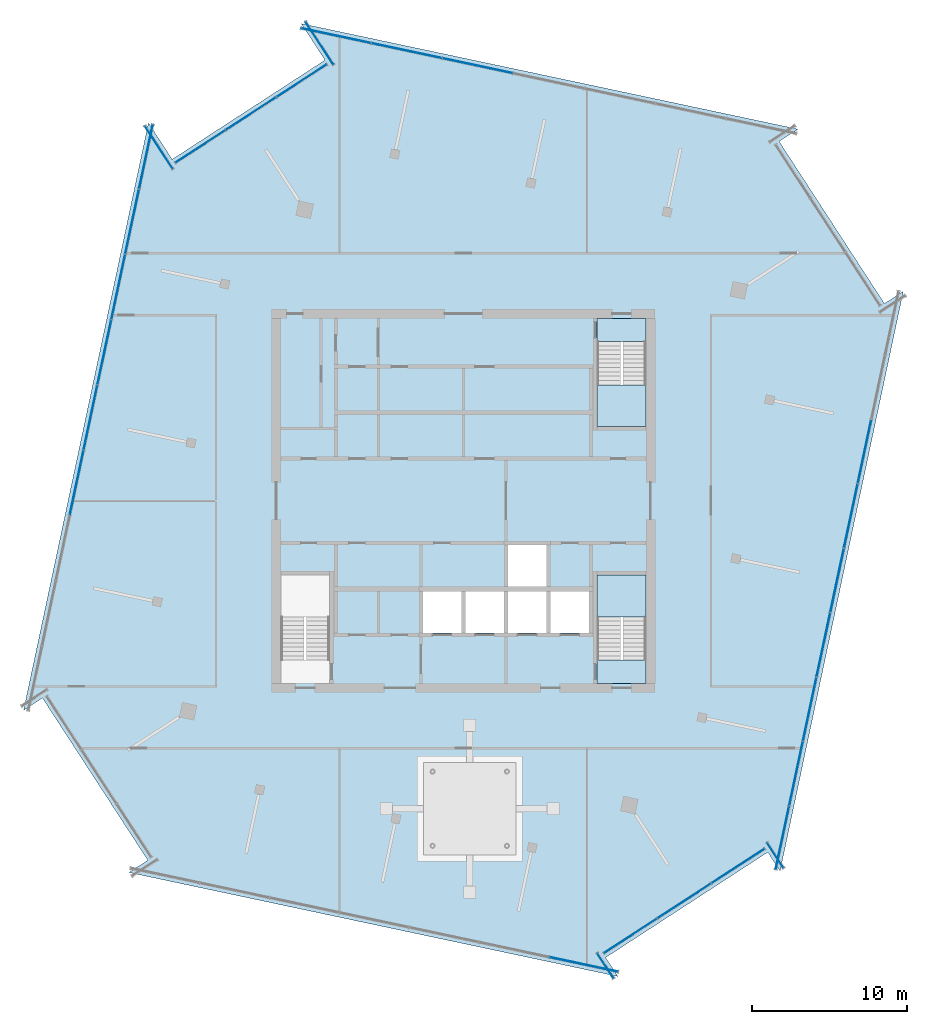
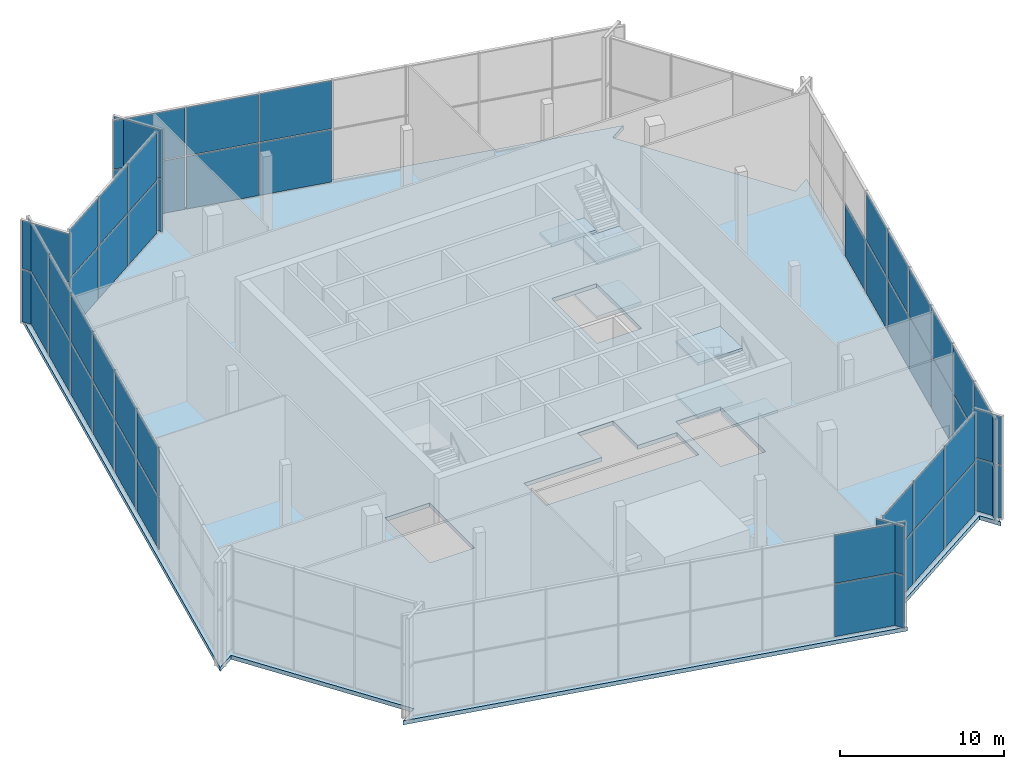
# One storey, part 8 of 14: 53 plates, 7 slabs, 12 elements without a shape of their own.
"""IFC4 building model written with IfcOpenShell, lengths in metres."""

from ifc_helpers import new_model, si_unit, direction, frame, origin, origin_2d, place, context, subcontext, project, spatial, polyline, rectangle, outline, extrude, material, layer, layer_set, type_object, element, aggregate, save


model = new_model("IFC4")

# Units and contexts
model_context = context("Model", 3, precision=1e-05, world=origin(), true_north=direction((0.0, 1.0)))
body_context = subcontext(model_context, "Body", "Model", "MODEL_VIEW")
ifc_project = project(units=[si_unit("LENGTHUNIT", "METRE"), si_unit("AREAUNIT", "SQUARE_METRE"), si_unit("VOLUMEUNIT", "CUBIC_METRE"), si_unit("PLANEANGLEUNIT", "RADIAN"), si_unit("MASSUNIT", "GRAM", prefix="KILO")], contexts=[model_context])

# Site, building, storey
site_placement = place(None, origin())
site = spatial("IfcSite", under=ifc_project, at=site_placement, CompositionType="ELEMENT")
building_placement = place(site_placement, origin())
building = spatial("IfcBuilding", under=site, at=building_placement, Name="Dilmun Exchange Tower", CompositionType="ELEMENT")
storey_placement = place(building_placement, frame((0.0, 0.0, 350.10009765625)))
storey = spatial("IfcBuildingStorey", under=building, at=storey_placement, Name="Crown L83", CompositionType="ELEMENT", Elevation=350.10009765625)

# Curtain wall, plates
ifc_material_1 = material(Name="Anodised aluminium and clear glass", Category="aluminium")
curtain_wall_type = type_object("IfcCurtainWallType", Name="Damper floor glazing", PredefinedType="NOTDEFINED", material=ifc_material_1)
curtain_wall_1_placement = place(storey_placement, origin())
curtain_wall_1 = element("IfcCurtainWall", 1, at=curtain_wall_1_placement, inside=storey, type_object=curtain_wall_type, Name="Damper floor glazing run DG3", PredefinedType="NOTDEFINED")
ifc_material_2 = material(Name="Clear glass", Category="glass")
ifc_layer_1 = layer(ifc_material_2, 0.035888671875)
ifc_layer_set_1 = layer_set([ifc_layer_1], Name="Clear glass")
plate_type = type_object("IfcPlateType", Name="Damper floor glazing glass panel 36", PredefinedType="CURTAIN_PANEL", material=ifc_layer_set_1)
plate_1_placement = place(storey_placement, frame((7.7734375, -29.97119140625, 0.06982421875), z_axis=(0.0, 0.0, 1.0), x_axis=(0.978147660564, -0.207911409336, 0.0)))
plate_1 = element("IfcPlate", 2, at=plate_1_placement, type_object=plate_type, Name="DG3 panel 7.1", PredefinedType="CURTAIN_PANEL", context=body_context, shape_type="SweptSolid", body=[
    extrude(rectangle(XDim=4.512451171875, YDim=0.035888671875, at=origin_2d()), origin(), (0.0, 0.0, 1.0), 3.89501953125),
])
plate_2_placement = place(storey_placement, frame((7.7734375, -29.97119140625, 4.03515625), z_axis=(0.0, 0.0, 1.0), x_axis=(0.978147660564, -0.207911409336, 0.0)))
plate_2 = element("IfcPlate", 3, at=plate_2_placement, type_object=plate_type, Name="DG3 panel 7.2", PredefinedType="CURTAIN_PANEL", context=body_context, shape_type="SweptSolid", body=[
    extrude(rectangle(XDim=4.512451171875, YDim=0.035888671875, at=origin_2d()), origin(), (0.0, 0.0, 1.0), 3.594970703125),
])
aggregate(curtain_wall_1, [plate_1, plate_2])

curtain_wall_2_placement = place(storey_placement, origin())
curtain_wall_2 = element("IfcCurtainWall", 4, at=curtain_wall_2_placement, inside=storey, type_object=curtain_wall_type, Name="Damper floor glazing run DG4", PredefinedType="NOTDEFINED")
plate_3_placement = place(storey_placement, frame((9.1748046875, -30.049072265625, 0.06982421875), z_axis=(0.0, 0.0, 1.0), x_axis=(-0.544653402669, 0.838661237307, 0.0)))
plate_3 = element("IfcPlate", 5, at=plate_3_placement, type_object=plate_type, Name="DG4 panel 1.1", PredefinedType="CURTAIN_PANEL", context=body_context, shape_type="SweptSolid", body=[
    extrude(rectangle(XDim=1.9169921875, YDim=0.035888671875, at=origin_2d()), origin(), (0.0, 0.0, 1.0), 3.89501953125),
])
plate_4_placement = place(storey_placement, frame((9.1748046875, -30.049072265625, 4.03515625), z_axis=(0.0, 0.0, 1.0), x_axis=(-0.544653402669, 0.838661237307, 0.0)))
plate_4 = element("IfcPlate", 6, at=plate_4_placement, type_object=plate_type, Name="DG4 panel 1.2", PredefinedType="CURTAIN_PANEL", context=body_context, shape_type="SweptSolid", body=[
    extrude(rectangle(XDim=1.9169921875, YDim=0.035888671875, at=origin_2d()), origin(), (0.0, 0.0, 1.0), 3.594970703125),
])
aggregate(curtain_wall_2, [plate_3, plate_4])

curtain_wall_3_placement = place(storey_placement, origin())
curtain_wall_3 = element("IfcCurtainWall", 7, at=curtain_wall_3_placement, inside=storey, type_object=curtain_wall_type, Name="Damper floor glazing run DG5", PredefinedType="NOTDEFINED")
plate_5_placement = place(storey_placement, frame((10.79150390625, -28.13037109375, 0.06982421875), z_axis=(0.0, 0.0, 1.0), x_axis=(0.838670551957, 0.544639059635, 0.0)))
plate_5 = element("IfcPlate", 8, at=plate_5_placement, type_object=plate_type, Name="DG5 panel 1.1", PredefinedType="CURTAIN_PANEL", context=body_context, shape_type="SweptSolid", body=[
    extrude(rectangle(XDim=4.061767578125, YDim=0.035888671875, at=origin_2d()), origin(), (0.0, 0.0, 1.0), 3.89501953125),
])
plate_6_placement = place(storey_placement, frame((10.79150390625, -28.13037109375, 4.03515625), z_axis=(0.0, 0.0, 1.0), x_axis=(0.838670551957, 0.544639059635, 0.0)))
plate_6 = element("IfcPlate", 9, at=plate_6_placement, type_object=plate_type, Name="DG5 panel 1.2", PredefinedType="CURTAIN_PANEL", context=body_context, shape_type="SweptSolid", body=[
    extrude(rectangle(XDim=4.061767578125, YDim=0.035888671875, at=origin_2d()), origin(), (0.0, 0.0, 1.0), 3.594970703125),
])
plate_7_placement = place(storey_placement, frame((14.271240234375, -25.87060546875, 0.06982421875), z_axis=(0.0, 0.0, 1.0), x_axis=(0.838670551957, 0.544639059635, 0.0)))
plate_7 = element("IfcPlate", 10, at=plate_7_placement, type_object=plate_type, Name="DG5 panel 2.1", PredefinedType="CURTAIN_PANEL", context=body_context, shape_type="SweptSolid", body=[
    extrude(rectangle(XDim=4.0966796875, YDim=0.035888671875, at=origin_2d()), origin(), (0.0, 0.0, 1.0), 3.89501953125),
])
plate_8_placement = place(storey_placement, frame((14.271240234375, -25.87060546875, 4.03515625), z_axis=(0.0, 0.0, 1.0), x_axis=(0.838670551957, 0.544639059635, 0.0)))
plate_8 = element("IfcPlate", 11, at=plate_8_placement, type_object=plate_type, Name="DG5 panel 2.2", PredefinedType="CURTAIN_PANEL", context=body_context, shape_type="SweptSolid", body=[
    extrude(rectangle(XDim=4.0966796875, YDim=0.035888671875, at=origin_2d()), origin(), (0.0, 0.0, 1.0), 3.594970703125),
])
plate_9_placement = place(storey_placement, frame((17.7509765625, -23.61083984375, 0.06982421875), z_axis=(0.0, 0.0, 1.0), x_axis=(0.838670551957, 0.544639059635, 0.0)))
plate_9 = element("IfcPlate", 12, at=plate_9_placement, type_object=plate_type, Name="DG5 panel 3.1", PredefinedType="CURTAIN_PANEL", context=body_context, shape_type="SweptSolid", body=[
    extrude(rectangle(XDim=4.061767578125, YDim=0.035888671875, at=origin_2d()), origin(), (0.0, 0.0, 1.0), 3.89501953125),
])
plate_10_placement = place(storey_placement, frame((17.7509765625, -23.61083984375, 4.03515625), z_axis=(0.0, 0.0, 1.0), x_axis=(0.838670551957, 0.544639059635, 0.0)))
plate_10 = element("IfcPlate", 13, at=plate_10_placement, type_object=plate_type, Name="DG5 panel 3.2", PredefinedType="CURTAIN_PANEL", context=body_context, shape_type="SweptSolid", body=[
    extrude(rectangle(XDim=4.061767578125, YDim=0.035888671875, at=origin_2d()), origin(), (0.0, 0.0, 1.0), 3.594970703125),
])
aggregate(curtain_wall_3, [plate_5, plate_6, plate_7, plate_8, plate_9, plate_10])

curtain_wall_4_placement = place(storey_placement, origin())
curtain_wall_4 = element("IfcCurtainWall", 14, at=curtain_wall_4_placement, inside=storey, type_object=curtain_wall_type, Name="Damper floor glazing run DG6", PredefinedType="NOTDEFINED")
plate_11_placement = place(storey_placement, frame((20.161376953125, -22.914306640625, 0.06982421875), z_axis=(0.0, 0.0, 1.0), x_axis=(0.544653402669, -0.838661237307, 0.0)))
plate_11 = element("IfcPlate", 15, at=plate_11_placement, type_object=plate_type, Name="DG6 panel 1.1", PredefinedType="CURTAIN_PANEL", context=body_context, shape_type="SweptSolid", body=[
    extrude(rectangle(XDim=1.9169921875, YDim=0.035888671875, at=origin_2d()), origin(), (0.0, 0.0, 1.0), 3.89501953125),
])
plate_12_placement = place(storey_placement, frame((20.161376953125, -22.914306640625, 4.03515625), z_axis=(0.0, 0.0, 1.0), x_axis=(0.544653402669, -0.838661237307, 0.0)))
plate_12 = element("IfcPlate", 16, at=plate_12_placement, type_object=plate_type, Name="DG6 panel 1.2", PredefinedType="CURTAIN_PANEL", context=body_context, shape_type="SweptSolid", body=[
    extrude(rectangle(XDim=1.9169921875, YDim=0.035888671875, at=origin_2d()), origin(), (0.0, 0.0, 1.0), 3.594970703125),
])
aggregate(curtain_wall_4, [plate_11, plate_12])

curtain_wall_5_placement = place(storey_placement, origin())
curtain_wall_5 = element("IfcCurtainWall", 17, at=curtain_wall_5_placement, inside=storey, type_object=curtain_wall_type, Name="Damper floor glazing run DG7", PredefinedType="NOTDEFINED")
plate_13_placement = place(storey_placement, frame((20.622802734375, -21.7783203125, 0.06982421875), z_axis=(0.0, 0.0, 1.0), x_axis=(0.207912653058, 0.978147396203, 0.0)))
plate_13 = element("IfcPlate", 18, at=plate_13_placement, type_object=plate_type, Name="DG7 panel 1.1", PredefinedType="CURTAIN_PANEL", context=body_context, shape_type="SweptSolid", body=[
    extrude(rectangle(XDim=4.153076171875, YDim=0.035888671875, at=origin_2d()), origin(), (0.0, 0.0, 1.0), 3.89501953125),
])
plate_14_placement = place(storey_placement, frame((20.622802734375, -21.7783203125, 4.03515625), z_axis=(0.0, 0.0, 1.0), x_axis=(0.207912653058, 0.978147396203, 0.0)))
plate_14 = element("IfcPlate", 19, at=plate_14_placement, type_object=plate_type, Name="DG7 panel 1.2", PredefinedType="CURTAIN_PANEL", context=body_context, shape_type="SweptSolid", body=[
    extrude(rectangle(XDim=4.153076171875, YDim=0.035888671875, at=origin_2d()), origin(), (0.0, 0.0, 1.0), 3.594970703125),
])
plate_15_placement = place(storey_placement, frame((21.50439453125, -17.63037109375, 0.06982421875), z_axis=(0.0, 0.0, 1.0), x_axis=(0.207912653058, 0.978147396203, 0.0)))
plate_15 = element("IfcPlate", 20, at=plate_15_placement, type_object=plate_type, Name="DG7 panel 2.1", PredefinedType="CURTAIN_PANEL", context=body_context, shape_type="SweptSolid", body=[
    extrude(rectangle(XDim=4.18798828125, YDim=0.035888671875, at=origin_2d()), origin(), (0.0, 0.0, 1.0), 3.89501953125),
])
plate_16_placement = place(storey_placement, frame((21.50439453125, -17.63037109375, 4.03515625), z_axis=(0.0, 0.0, 1.0), x_axis=(0.207912653058, 0.978147396203, 0.0)))
plate_16 = element("IfcPlate", 21, at=plate_16_placement, type_object=plate_type, Name="DG7 panel 2.2", PredefinedType="CURTAIN_PANEL", context=body_context, shape_type="SweptSolid", body=[
    extrude(rectangle(XDim=4.18798828125, YDim=0.035888671875, at=origin_2d()), origin(), (0.0, 0.0, 1.0), 3.594970703125),
])
plate_17_placement = place(storey_placement, frame((22.3896484375, -13.46533203125, 0.06982421875), z_axis=(0.0, 0.0, 1.0), x_axis=(0.207912653058, 0.978147396203, 0.0)))
plate_17 = element("IfcPlate", 22, at=plate_17_placement, type_object=plate_type, Name="DG7 panel 3.1", PredefinedType="CURTAIN_PANEL", context=body_context, shape_type="SweptSolid", body=[
    extrude(rectangle(XDim=4.18798828125, YDim=0.035888671875, at=origin_2d()), origin(), (0.0, 0.0, 1.0), 3.89501953125),
])
plate_18_placement = place(storey_placement, frame((22.3896484375, -13.46533203125, 4.03515625), z_axis=(0.0, 0.0, 1.0), x_axis=(0.207912653058, 0.978147396203, 0.0)))
plate_18 = element("IfcPlate", 23, at=plate_18_placement, type_object=plate_type, Name="DG7 panel 3.2", PredefinedType="CURTAIN_PANEL", context=body_context, shape_type="SweptSolid", body=[
    extrude(rectangle(XDim=4.18798828125, YDim=0.035888671875, at=origin_2d()), origin(), (0.0, 0.0, 1.0), 3.594970703125),
])
plate_19_placement = place(storey_placement, frame((23.27490234375, -9.300537109375, 0.06982421875), z_axis=(0.0, 0.0, 1.0), x_axis=(0.207912653058, 0.978147396203, 0.0)))
plate_19 = element("IfcPlate", 24, at=plate_19_placement, type_object=plate_type, Name="DG7 panel 4.1", PredefinedType="CURTAIN_PANEL", context=body_context, shape_type="SweptSolid", body=[
    extrude(rectangle(XDim=4.18798828125, YDim=0.035888671875, at=origin_2d()), origin(), (0.0, 0.0, 1.0), 3.89501953125),
])
plate_20_placement = place(storey_placement, frame((23.27490234375, -9.300537109375, 4.03515625), z_axis=(0.0, 0.0, 1.0), x_axis=(0.207912653058, 0.978147396203, 0.0)))
plate_20 = element("IfcPlate", 25, at=plate_20_placement, type_object=plate_type, Name="DG7 panel 4.2", PredefinedType="CURTAIN_PANEL", context=body_context, shape_type="SweptSolid", body=[
    extrude(rectangle(XDim=4.18798828125, YDim=0.035888671875, at=origin_2d()), origin(), (0.0, 0.0, 1.0), 3.594970703125),
])
plate_21_placement = place(storey_placement, frame((24.16015625, -5.135498046875, 0.06982421875), z_axis=(0.0, 0.0, 1.0), x_axis=(0.207912653058, 0.978147396203, 0.0)))
plate_21 = element("IfcPlate", 26, at=plate_21_placement, type_object=plate_type, Name="DG7 panel 5.1", PredefinedType="CURTAIN_PANEL", context=body_context, shape_type="SweptSolid", body=[
    extrude(rectangle(XDim=4.18798828125, YDim=0.035888671875, at=origin_2d()), origin(), (0.0, 0.0, 1.0), 3.89501953125),
])
plate_22_placement = place(storey_placement, frame((24.16015625, -5.135498046875, 4.03515625), z_axis=(0.0, 0.0, 1.0), x_axis=(0.207912653058, 0.978147396203, 0.0)))
plate_22 = element("IfcPlate", 27, at=plate_22_placement, type_object=plate_type, Name="DG7 panel 5.2", PredefinedType="CURTAIN_PANEL", context=body_context, shape_type="SweptSolid", body=[
    extrude(rectangle(XDim=4.18798828125, YDim=0.035888671875, at=origin_2d()), origin(), (0.0, 0.0, 1.0), 3.594970703125),
])
plate_23_placement = place(storey_placement, frame((25.045654296875, -0.970458984375, 0.06982421875), z_axis=(0.0, 0.0, 1.0), x_axis=(0.207912653058, 0.978147396203, 0.0)))
plate_23 = element("IfcPlate", 28, at=plate_23_placement, type_object=plate_type, Name="DG7 panel 6.1", PredefinedType="CURTAIN_PANEL", context=body_context, shape_type="SweptSolid", body=[
    extrude(rectangle(XDim=4.18798828125, YDim=0.035888671875, at=origin_2d()), origin(), (0.0, 0.0, 1.0), 3.89501953125),
])
plate_24_placement = place(storey_placement, frame((25.045654296875, -0.970458984375, 4.03515625), z_axis=(0.0, 0.0, 1.0), x_axis=(0.207912653058, 0.978147396203, 0.0)))
plate_24 = element("IfcPlate", 29, at=plate_24_placement, type_object=plate_type, Name="DG7 panel 6.2", PredefinedType="CURTAIN_PANEL", context=body_context, shape_type="SweptSolid", body=[
    extrude(rectangle(XDim=4.18798828125, YDim=0.035888671875, at=origin_2d()), origin(), (0.0, 0.0, 1.0), 3.594970703125),
])
plate_25_placement = place(storey_placement, frame((25.930908203125, 3.194580078125, 0.06982421875), z_axis=(0.0, 0.0, 1.0), x_axis=(0.207912653058, 0.978147396203, 0.0)))
plate_25 = element("IfcPlate", 30, at=plate_25_placement, type_object=plate_type, Name="DG7 panel 7.1", PredefinedType="CURTAIN_PANEL", context=body_context, shape_type="SweptSolid", body=[
    extrude(rectangle(XDim=4.18798828125, YDim=0.035888671875, at=origin_2d()), origin(), (0.0, 0.0, 1.0), 3.89501953125),
])
aggregate(curtain_wall_5, [plate_13, plate_14, plate_15, plate_16, plate_17, plate_18, plate_19, plate_20, plate_21, plate_22, plate_23, plate_24, plate_25])

curtain_wall_6_placement = place(storey_placement, origin())
curtain_wall_6 = element("IfcCurtainWall", 31, at=curtain_wall_6_placement, inside=storey, type_object=curtain_wall_type, Name="Damper floor glazing run DG11", PredefinedType="NOTDEFINED")
plate_26_placement = place(storey_placement, frame((0.921630859375, 28.123046875, 0.06982421875), z_axis=(0.0, 0.0, 1.0), x_axis=(-0.978147710648, 0.20791117371, 0.0)))
plate_26 = element("IfcPlate", 32, at=plate_26_placement, type_object=plate_type, Name="DG11 panel 5.1", PredefinedType="CURTAIN_PANEL", context=body_context, shape_type="SweptSolid", body=[
    extrude(rectangle(XDim=4.620361328125, YDim=0.035888671875, at=origin_2d()), origin(), (0.0, 0.0, 1.0), 3.89501953125),
])
plate_27_placement = place(storey_placement, frame((0.921630859375, 28.123046875, 4.03515625), z_axis=(0.0, 0.0, 1.0), x_axis=(-0.978147710648, 0.20791117371, 0.0)))
plate_27 = element("IfcPlate", 33, at=plate_27_placement, type_object=plate_type, Name="DG11 panel 5.2", PredefinedType="CURTAIN_PANEL", context=body_context, shape_type="SweptSolid", body=[
    extrude(rectangle(XDim=4.620361328125, YDim=0.035888671875, at=origin_2d()), origin(), (0.0, 0.0, 1.0), 3.594970703125),
])
plate_28_placement = place(storey_placement, frame((-3.666259765625, 29.09814453125, 0.06982421875), z_axis=(0.0, 0.0, 1.0), x_axis=(-0.978147710648, 0.20791117371, 0.0)))
plate_28 = element("IfcPlate", 34, at=plate_28_placement, type_object=plate_type, Name="DG11 panel 6.1", PredefinedType="CURTAIN_PANEL", context=body_context, shape_type="SweptSolid", body=[
    extrude(rectangle(XDim=4.620361328125, YDim=0.035888671875, at=origin_2d()), origin(), (0.0, 0.0, 1.0), 3.89501953125),
])
plate_29_placement = place(storey_placement, frame((-3.666259765625, 29.09814453125, 4.03515625), z_axis=(0.0, 0.0, 1.0), x_axis=(-0.978147710648, 0.20791117371, 0.0)))
plate_29 = element("IfcPlate", 35, at=plate_29_placement, type_object=plate_type, Name="DG11 panel 6.2", PredefinedType="CURTAIN_PANEL", context=body_context, shape_type="SweptSolid", body=[
    extrude(rectangle(XDim=4.620361328125, YDim=0.035888671875, at=origin_2d()), origin(), (0.0, 0.0, 1.0), 3.594970703125),
])
plate_30_placement = place(storey_placement, frame((-8.237060546875, 30.069580078125, 0.06982421875), z_axis=(0.0, 0.0, 1.0), x_axis=(-0.978147710648, 0.20791117371, 0.0)))
plate_30 = element("IfcPlate", 36, at=plate_30_placement, type_object=plate_type, Name="DG11 panel 7.1", PredefinedType="CURTAIN_PANEL", context=body_context, shape_type="SweptSolid", body=[
    extrude(rectangle(XDim=4.58544921875, YDim=0.035888671875, at=origin_2d()), origin(), (0.0, 0.0, 1.0), 3.89501953125),
])
plate_31_placement = place(storey_placement, frame((-8.237060546875, 30.069580078125, 4.03515625), z_axis=(0.0, 0.0, 1.0), x_axis=(-0.978147710648, 0.20791117371, 0.0)))
plate_31 = element("IfcPlate", 37, at=plate_31_placement, type_object=plate_type, Name="DG11 panel 7.2", PredefinedType="CURTAIN_PANEL", context=body_context, shape_type="SweptSolid", body=[
    extrude(rectangle(XDim=4.58544921875, YDim=0.035888671875, at=origin_2d()), origin(), (0.0, 0.0, 1.0), 3.594970703125),
])
aggregate(curtain_wall_6, [plate_26, plate_27, plate_28, plate_29, plate_30, plate_31])

curtain_wall_7_placement = place(storey_placement, origin())
curtain_wall_7 = element("IfcCurtainWall", 38, at=curtain_wall_7_placement, inside=storey, type_object=curtain_wall_type, Name="Damper floor glazing run DG12", PredefinedType="NOTDEFINED")
plate_32_placement = place(storey_placement, frame((-9.30322265625, 29.58447265625, 0.06982421875), z_axis=(0.0, 0.0, 1.0), x_axis=(0.544640721056, -0.838669473015, 0.0)))
plate_32 = element("IfcPlate", 39, at=plate_32_placement, type_object=plate_type, Name="DG12 panel 1.1", PredefinedType="CURTAIN_PANEL", context=body_context, shape_type="SweptSolid", body=[
    extrude(rectangle(XDim=3.278076171875, YDim=0.035888671875, at=origin_2d()), origin(), (0.0, 0.0, 1.0), 3.89501953125),
])
plate_33_placement = place(storey_placement, frame((-9.30322265625, 29.58447265625, 4.03515625), z_axis=(0.0, 0.0, 1.0), x_axis=(0.544640721056, -0.838669473015, 0.0)))
plate_33 = element("IfcPlate", 40, at=plate_33_placement, type_object=plate_type, Name="DG12 panel 1.2", PredefinedType="CURTAIN_PANEL", context=body_context, shape_type="SweptSolid", body=[
    extrude(rectangle(XDim=3.278076171875, YDim=0.035888671875, at=origin_2d()), origin(), (0.0, 0.0, 1.0), 3.594970703125),
])
aggregate(curtain_wall_7, [plate_32, plate_33])

curtain_wall_8_placement = place(storey_placement, origin())
curtain_wall_8 = element("IfcCurtainWall", 41, at=curtain_wall_8_placement, inside=storey, type_object=curtain_wall_type, Name="Damper floor glazing run DG13", PredefinedType="NOTDEFINED")
plate_34_placement = place(storey_placement, frame((-10.448486328125, 27.16064453125, 0.06982421875), z_axis=(0.0, 0.0, 1.0), x_axis=(-0.83866855929, -0.54464212806, 0.0)))
plate_34 = element("IfcPlate", 42, at=plate_34_placement, type_object=plate_type, Name="DG13 panel 1.1", PredefinedType="CURTAIN_PANEL", context=body_context, shape_type="SweptSolid", body=[
    extrude(rectangle(XDim=3.821044921875, YDim=0.035888671875, at=origin_2d()), origin(), (0.0, 0.0, 1.0), 3.89501953125),
])
plate_35_placement = place(storey_placement, frame((-10.448486328125, 27.16064453125, 4.03515625), z_axis=(0.0, 0.0, 1.0), x_axis=(-0.83866855929, -0.54464212806, 0.0)))
plate_35 = element("IfcPlate", 43, at=plate_35_placement, type_object=plate_type, Name="DG13 panel 1.2", PredefinedType="CURTAIN_PANEL", context=body_context, shape_type="SweptSolid", body=[
    extrude(rectangle(XDim=3.821044921875, YDim=0.035888671875, at=origin_2d()), origin(), (0.0, 0.0, 1.0), 3.594970703125),
])
plate_36_placement = place(storey_placement, frame((-13.7265625, 25.031982421875, 0.06982421875), z_axis=(0.0, 0.0, 1.0), x_axis=(-0.83866855929, -0.54464212806, 0.0)))
plate_36 = element("IfcPlate", 44, at=plate_36_placement, type_object=plate_type, Name="DG13 panel 2.1", PredefinedType="CURTAIN_PANEL", context=body_context, shape_type="SweptSolid", body=[
    extrude(rectangle(XDim=3.85595703125, YDim=0.035888671875, at=origin_2d()), origin(), (0.0, 0.0, 1.0), 3.89501953125),
])
plate_37_placement = place(storey_placement, frame((-13.7265625, 25.031982421875, 4.03515625), z_axis=(0.0, 0.0, 1.0), x_axis=(-0.83866855929, -0.54464212806, 0.0)))
plate_37 = element("IfcPlate", 45, at=plate_37_placement, type_object=plate_type, Name="DG13 panel 2.2", PredefinedType="CURTAIN_PANEL", context=body_context, shape_type="SweptSolid", body=[
    extrude(rectangle(XDim=3.85595703125, YDim=0.035888671875, at=origin_2d()), origin(), (0.0, 0.0, 1.0), 3.594970703125),
])
plate_38_placement = place(storey_placement, frame((-17.00439453125, 22.903076171875, 0.06982421875), z_axis=(0.0, 0.0, 1.0), x_axis=(-0.83866855929, -0.54464212806, 0.0)))
plate_38 = element("IfcPlate", 46, at=plate_38_placement, type_object=plate_type, Name="DG13 panel 3.1", PredefinedType="CURTAIN_PANEL", context=body_context, shape_type="SweptSolid", body=[
    extrude(rectangle(XDim=3.821044921875, YDim=0.035888671875, at=origin_2d()), origin(), (0.0, 0.0, 1.0), 3.89501953125),
])
plate_39_placement = place(storey_placement, frame((-17.00439453125, 22.903076171875, 4.03515625), z_axis=(0.0, 0.0, 1.0), x_axis=(-0.83866855929, -0.54464212806, 0.0)))
plate_39 = element("IfcPlate", 47, at=plate_39_placement, type_object=plate_type, Name="DG13 panel 3.2", PredefinedType="CURTAIN_PANEL", context=body_context, shape_type="SweptSolid", body=[
    extrude(rectangle(XDim=3.821044921875, YDim=0.035888671875, at=origin_2d()), origin(), (0.0, 0.0, 1.0), 3.594970703125),
])
aggregate(curtain_wall_8, [plate_34, plate_35, plate_36, plate_37, plate_38, plate_39])

curtain_wall_9_placement = place(storey_placement, origin())
curtain_wall_9 = element("IfcCurtainWall", 48, at=curtain_wall_9_placement, inside=storey, type_object=curtain_wall_type, Name="Damper floor glazing run DG14", PredefinedType="NOTDEFINED")
plate_40_placement = place(storey_placement, frame((-19.6845703125, 22.8427734375, 0.06982421875), z_axis=(0.0, 0.0, 1.0), x_axis=(-0.544620142453, 0.838682836616, 0.0)))
plate_40 = element("IfcPlate", 49, at=plate_40_placement, type_object=plate_type, Name="DG14 panel 1.1", PredefinedType="CURTAIN_PANEL", context=body_context, shape_type="SweptSolid", body=[
    extrude(rectangle(XDim=3.278076171875, YDim=0.035888671875, at=origin_2d()), origin(), (0.0, 0.0, 1.0), 3.89501953125),
])
plate_41_placement = place(storey_placement, frame((-19.6845703125, 22.8427734375, 4.03515625), z_axis=(0.0, 0.0, 1.0), x_axis=(-0.544620142453, 0.838682836616, 0.0)))
plate_41 = element("IfcPlate", 50, at=plate_41_placement, type_object=plate_type, Name="DG14 panel 1.2", PredefinedType="CURTAIN_PANEL", context=body_context, shape_type="SweptSolid", body=[
    extrude(rectangle(XDim=3.278076171875, YDim=0.035888671875, at=origin_2d()), origin(), (0.0, 0.0, 1.0), 3.594970703125),
])
aggregate(curtain_wall_9, [plate_40, plate_41])

curtain_wall_10_placement = place(storey_placement, origin())
curtain_wall_10 = element("IfcCurtainWall", 51, at=curtain_wall_10_placement, inside=storey, type_object=curtain_wall_type, Name="Damper floor glazing run DG15", PredefinedType="NOTDEFINED")
plate_42_placement = place(storey_placement, frame((-20.5224609375, 22.249755859375, 0.06982421875), z_axis=(0.0, 0.0, 1.0), x_axis=(-0.207912437508, -0.97814744202, 0.0)))
plate_42 = element("IfcPlate", 52, at=plate_42_placement, type_object=plate_type, Name="DG15 panel 1.1", PredefinedType="CURTAIN_PANEL", context=body_context, shape_type="SweptSolid", body=[
    extrude(rectangle(XDim=4.209716796875, YDim=0.035888671875, at=origin_2d()), origin(), (0.0, 0.0, 1.0), 3.89501953125),
])
plate_43_placement = place(storey_placement, frame((-20.5224609375, 22.249755859375, 4.03515625), z_axis=(0.0, 0.0, 1.0), x_axis=(-0.207912437508, -0.97814744202, 0.0)))
plate_43 = element("IfcPlate", 53, at=plate_43_placement, type_object=plate_type, Name="DG15 panel 1.2", PredefinedType="CURTAIN_PANEL", context=body_context, shape_type="SweptSolid", body=[
    extrude(rectangle(XDim=4.209716796875, YDim=0.035888671875, at=origin_2d()), origin(), (0.0, 0.0, 1.0), 3.594970703125),
])
plate_44_placement = place(storey_placement, frame((-21.416015625, 18.04638671875, 0.06982421875), z_axis=(0.0, 0.0, 1.0), x_axis=(-0.207912437508, -0.97814744202, 0.0)))
plate_44 = element("IfcPlate", 54, at=plate_44_placement, type_object=plate_type, Name="DG15 panel 2.1", PredefinedType="CURTAIN_PANEL", context=body_context, shape_type="SweptSolid", body=[
    extrude(rectangle(XDim=4.24462890625, YDim=0.035888671875, at=origin_2d()), origin(), (0.0, 0.0, 1.0), 3.89501953125),
])
plate_45_placement = place(storey_placement, frame((-21.416015625, 18.04638671875, 4.03515625), z_axis=(0.0, 0.0, 1.0), x_axis=(-0.207912437508, -0.97814744202, 0.0)))
plate_45 = element("IfcPlate", 55, at=plate_45_placement, type_object=plate_type, Name="DG15 panel 2.2", PredefinedType="CURTAIN_PANEL", context=body_context, shape_type="SweptSolid", body=[
    extrude(rectangle(XDim=4.24462890625, YDim=0.035888671875, at=origin_2d()), origin(), (0.0, 0.0, 1.0), 3.594970703125),
])
plate_46_placement = place(storey_placement, frame((-22.31298828125, 13.825927734375, 0.06982421875), z_axis=(0.0, 0.0, 1.0), x_axis=(-0.207912437508, -0.97814744202, 0.0)))
plate_46 = element("IfcPlate", 56, at=plate_46_placement, type_object=plate_type, Name="DG15 panel 3.1", PredefinedType="CURTAIN_PANEL", context=body_context, shape_type="SweptSolid", body=[
    extrude(rectangle(XDim=4.24462890625, YDim=0.035888671875, at=origin_2d()), origin(), (0.0, 0.0, 1.0), 3.89501953125),
])
plate_47_placement = place(storey_placement, frame((-22.31298828125, 13.825927734375, 4.03515625), z_axis=(0.0, 0.0, 1.0), x_axis=(-0.207912437508, -0.97814744202, 0.0)))
plate_47 = element("IfcPlate", 57, at=plate_47_placement, type_object=plate_type, Name="DG15 panel 3.2", PredefinedType="CURTAIN_PANEL", context=body_context, shape_type="SweptSolid", body=[
    extrude(rectangle(XDim=4.24462890625, YDim=0.035888671875, at=origin_2d()), origin(), (0.0, 0.0, 1.0), 3.594970703125),
])
plate_48_placement = place(storey_placement, frame((-23.210205078125, 9.60546875, 0.06982421875), z_axis=(0.0, 0.0, 1.0), x_axis=(-0.207912437508, -0.97814744202, 0.0)))
plate_48 = element("IfcPlate", 58, at=plate_48_placement, type_object=plate_type, Name="DG15 panel 4.1", PredefinedType="CURTAIN_PANEL", context=body_context, shape_type="SweptSolid", body=[
    extrude(rectangle(XDim=4.24462890625, YDim=0.035888671875, at=origin_2d()), origin(), (0.0, 0.0, 1.0), 3.89501953125),
])
plate_49_placement = place(storey_placement, frame((-23.210205078125, 9.60546875, 4.03515625), z_axis=(0.0, 0.0, 1.0), x_axis=(-0.207912437508, -0.97814744202, 0.0)))
plate_49 = element("IfcPlate", 59, at=plate_49_placement, type_object=plate_type, Name="DG15 panel 4.2", PredefinedType="CURTAIN_PANEL", context=body_context, shape_type="SweptSolid", body=[
    extrude(rectangle(XDim=4.24462890625, YDim=0.035888671875, at=origin_2d()), origin(), (0.0, 0.0, 1.0), 3.594970703125),
])
plate_50_placement = place(storey_placement, frame((-24.107177734375, 5.385009765625, 0.06982421875), z_axis=(0.0, 0.0, 1.0), x_axis=(-0.207912437508, -0.97814744202, 0.0)))
plate_50 = element("IfcPlate", 60, at=plate_50_placement, type_object=plate_type, Name="DG15 panel 5.1", PredefinedType="CURTAIN_PANEL", context=body_context, shape_type="SweptSolid", body=[
    extrude(rectangle(XDim=4.24462890625, YDim=0.035888671875, at=origin_2d()), origin(), (0.0, 0.0, 1.0), 3.89501953125),
])
plate_51_placement = place(storey_placement, frame((-24.107177734375, 5.385009765625, 4.03515625), z_axis=(0.0, 0.0, 1.0), x_axis=(-0.207912437508, -0.97814744202, 0.0)))
plate_51 = element("IfcPlate", 61, at=plate_51_placement, type_object=plate_type, Name="DG15 panel 5.2", PredefinedType="CURTAIN_PANEL", context=body_context, shape_type="SweptSolid", body=[
    extrude(rectangle(XDim=4.24462890625, YDim=0.035888671875, at=origin_2d()), origin(), (0.0, 0.0, 1.0), 3.594970703125),
])
plate_52_placement = place(storey_placement, frame((-25.00439453125, 1.16455078125, 0.06982421875), z_axis=(0.0, 0.0, 1.0), x_axis=(-0.207912437508, -0.97814744202, 0.0)))
plate_52 = element("IfcPlate", 62, at=plate_52_placement, type_object=plate_type, Name="DG15 panel 6.1", PredefinedType="CURTAIN_PANEL", context=body_context, shape_type="SweptSolid", body=[
    extrude(rectangle(XDim=4.24462890625, YDim=0.035888671875, at=origin_2d()), origin(), (0.0, 0.0, 1.0), 3.89501953125),
])
plate_53_placement = place(storey_placement, frame((-25.00439453125, 1.16455078125, 4.03515625), z_axis=(0.0, 0.0, 1.0), x_axis=(-0.207912437508, -0.97814744202, 0.0)))
plate_53 = element("IfcPlate", 63, at=plate_53_placement, type_object=plate_type, Name="DG15 panel 6.2", PredefinedType="CURTAIN_PANEL", context=body_context, shape_type="SweptSolid", body=[
    extrude(rectangle(XDim=4.24462890625, YDim=0.035888671875, at=origin_2d()), origin(), (0.0, 0.0, 1.0), 3.594970703125),
])
aggregate(curtain_wall_10, [plate_42, plate_43, plate_44, plate_45, plate_46, plate_47, plate_48, plate_49, plate_50, plate_51, plate_52, plate_53])

# Stair, slabs
ifc_material_3 = material(Name="Concrete C40/50", Category="concrete")
stair_type = type_object("IfcStairType", Name="Exit stair 1500 half-turn", PredefinedType="HALF_TURN_STAIR", material=ifc_material_3)
stair_1_placement = place(storey_placement, origin())
stair_1 = element("IfcStair", 64, at=stair_1_placement, inside=storey, type_object=stair_type, Name="Crown L83 Protected exit stair ST1", PredefinedType="HALF_TURN_STAIR")
ifc_layer_2 = layer(ifc_material_3, 0.199951171875)
ifc_layer_set_2 = layer_set([ifc_layer_2], Name="Concrete C40/50")
slab_type_1 = type_object("IfcSlabType", Name="Exit stair landing 200", PredefinedType="LANDING", material=ifc_layer_set_2)
slab_1_placement = place(storey_placement, frame((0.0, 0.0, 1.7998046875)))
slab_1 = element("IfcSlab", 65, at=slab_1_placement, type_object=slab_type_1, Name="ST1 landing 1", PredefinedType="LANDING", context=body_context, shape_type="SweptSolid", body=[
    extrude(outline(polyline([(8.64990234375, 7.5), (8.64990234375, 4.800048828125), (11.800048828125, 4.800048828125), (11.800048828125, 7.5), (8.64990234375, 7.5)])), origin(), (0.0, 0.0, 1.0), 0.2001953125),
])
slab_2_placement = place(storey_placement, frame((0.0, 0.0, 3.7998046875)))
slab_2 = element("IfcSlab", 66, at=slab_2_placement, type_object=slab_type_1, Name="ST1 landing 2", PredefinedType="LANDING", context=body_context, shape_type="SweptSolid", body=[
    extrude(outline(polyline([(8.64990234375, 11.800048828125), (8.64990234375, 10.300048828125), (11.800048828125, 10.300048828125), (11.800048828125, 11.800048828125), (8.64990234375, 11.800048828125)])), origin(), (0.0, 0.0, 1.0), 0.2001953125),
])
slab_3_placement = place(storey_placement, frame((0.0, 0.0, 5.7998046875)))
slab_3 = element("IfcSlab", 67, at=slab_3_placement, type_object=slab_type_1, Name="ST1 landing 3", PredefinedType="LANDING", context=body_context, shape_type="SweptSolid", body=[
    extrude(outline(polyline([(8.64990234375, 7.5), (8.64990234375, 4.800048828125), (11.800048828125, 4.800048828125), (11.800048828125, 7.5), (8.64990234375, 7.5)])), origin(), (0.0, 0.0, 1.0), 0.2001953125),
])
aggregate(stair_1, [slab_1, slab_2, slab_3])

stair_2_placement = place(storey_placement, origin())
stair_2 = element("IfcStair", 68, at=stair_2_placement, inside=storey, type_object=stair_type, Name="Crown L83 Protected exit stair ST3", PredefinedType="HALF_TURN_STAIR")
slab_4_placement = place(storey_placement, frame((0.0, 0.0, 1.7998046875)))
slab_4 = element("IfcSlab", 69, at=slab_4_placement, type_object=slab_type_1, Name="ST3 landing 1", PredefinedType="LANDING", context=body_context, shape_type="SweptSolid", body=[
    extrude(outline(polyline([(11.800048828125, -7.5), (11.800048828125, -4.800048828125), (8.64990234375, -4.800048828125), (8.64990234375, -7.5), (11.800048828125, -7.5)])), origin(), (0.0, 0.0, 1.0), 0.2001953125),
])
slab_5_placement = place(storey_placement, frame((0.0, 0.0, 3.7998046875)))
slab_5 = element("IfcSlab", 70, at=slab_5_placement, type_object=slab_type_1, Name="ST3 landing 2", PredefinedType="LANDING", context=body_context, shape_type="SweptSolid", body=[
    extrude(outline(polyline([(11.800048828125, -11.800048828125), (11.800048828125, -10.300048828125), (8.64990234375, -10.300048828125), (8.64990234375, -11.800048828125), (11.800048828125, -11.800048828125)])), origin(), (0.0, 0.0, 1.0), 0.2001953125),
])
slab_6_placement = place(storey_placement, frame((0.0, 0.0, 5.7998046875)))
slab_6 = element("IfcSlab", 71, at=slab_6_placement, type_object=slab_type_1, Name="ST3 landing 3", PredefinedType="LANDING", context=body_context, shape_type="SweptSolid", body=[
    extrude(outline(polyline([(11.800048828125, -7.5), (11.800048828125, -4.800048828125), (8.64990234375, -4.800048828125), (8.64990234375, -7.5), (11.800048828125, -7.5)])), origin(), (0.0, 0.0, 1.0), 0.2001953125),
])
aggregate(stair_2, [slab_4, slab_5, slab_6])

# Slab
ifc_layer_3 = layer(ifc_material_3, 0.300048828125)
ifc_layer_set_3 = layer_set([ifc_layer_3], Name="Concrete C40/50")
slab_type_2 = type_object("IfcSlabType", Name="RC floor slab 300", PredefinedType="FLOOR", material=ifc_layer_set_3)
slab_7_placement = place(storey_placement, frame((0.0, 0.0, -0.300048828125)))
element("IfcSlab", 72, at=slab_7_placement, inside=storey, type_object=slab_type_2, Name="Floor slab", PredefinedType="FLOOR", context=body_context, shape_type="SweptSolid", body=[
    extrude(outline(polyline([(-20.36376953125, 24.439453125), (-18.828857421875, 22.076171875), (-8.950927734375, 28.490966796875), (-10.485595703125, 30.854248046875), (21.62939453125, 24.028076171875), (20.407470703125, 23.234375), (27.215576171875, 12.751220703125), (28.4375, 13.544677734375), (20.469970703125, -23.940185546875), (19.67626953125, -22.71826171875), (9.19287109375, -29.526123046875), (9.986572265625, -30.748291015625), (-21.62939453125, -24.028076171875), (-20.407470703125, -23.234375), (-27.215576171875, -12.751220703125), (-28.4375, -13.544677734375), (-20.36376953125, 24.439453125)]), holes=[polyline([(-8.64990234375, -4.800048828125), (-11.800048828125, -4.800048828125), (-11.800048828125, -10.294921875), (-8.64990234375, -10.294921875), (-8.64990234375, -4.800048828125)]), polyline([(11.800048828125, -4.800048828125), (8.64990234375, -4.800048828125), (8.64990234375, -10.294921875), (11.800048828125, -10.294921875), (11.800048828125, -4.800048828125)]), polyline([(-2.625, -5.85009765625), (-2.625, -8.550048828125), (8.125, -8.550048828125), (8.125, -5.85009765625), (5.375, -5.85009765625), (5.375, -2.85009765625), (2.875, -2.85009765625), (2.875, -5.85009765625), (-2.625, -5.85009765625)]), polyline([(8.64990234375, 4.800048828125), (11.800048828125, 4.800048828125), (11.800048828125, 10.294921875), (8.64990234375, 10.294921875), (8.64990234375, 4.800048828125)])]), origin(), (0.0, 0.0, 1.0), 0.300048828125),
])

save(model, "model.ifc")
